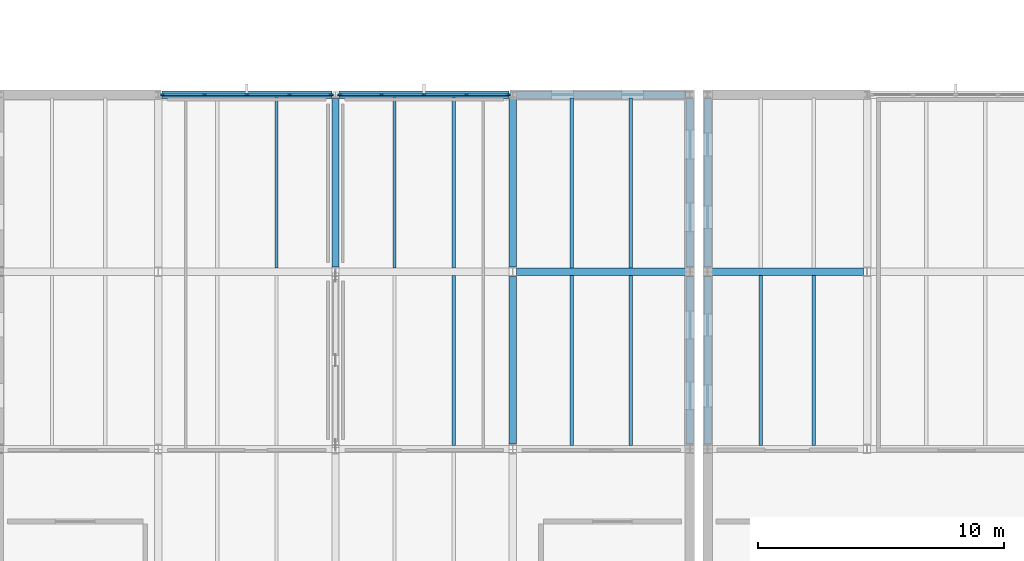
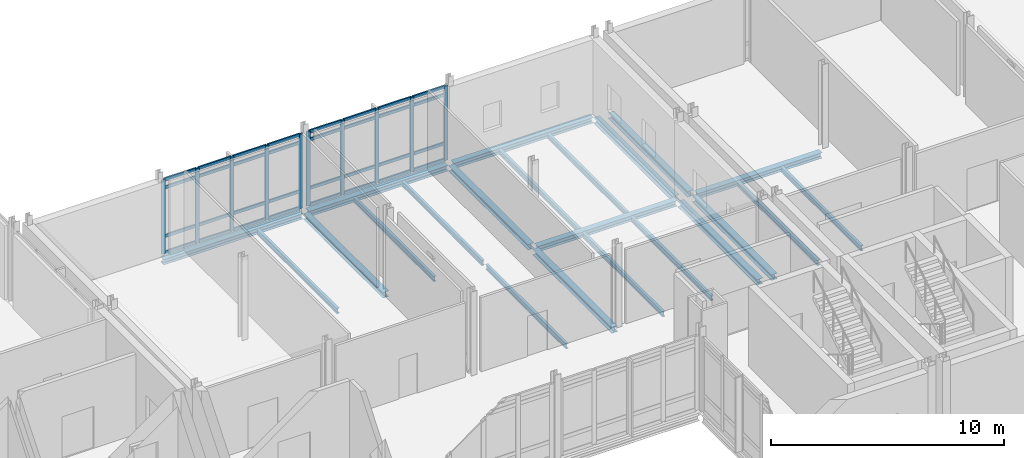
# One storey, part 17 of 72: 42 members, 22 beams, 2 elements without a shape of their own.
"""IFC4 building model written with IfcOpenShell, lengths in metres."""

from ifc_helpers import new_model, si_unit, direction, frame, origin, origin_2d, place, context, subcontext, project, spatial, rectangle, i_section, extrude, material, layer, layer_set, material_profile, profile_set, type_object, element, aggregate, save


model = new_model("IFC4")

# Units and contexts
model_context = context("Model", 3, precision=1e-05, world=origin(), true_north=direction((0.0, 1.0)))
body_context = subcontext(model_context, "Body", "Model", "MODEL_VIEW")
ifc_project = project(units=[si_unit("LENGTHUNIT", "METRE"), si_unit("AREAUNIT", "SQUARE_METRE"), si_unit("VOLUMEUNIT", "CUBIC_METRE"), si_unit("PLANEANGLEUNIT", "RADIAN"), si_unit("MASSUNIT", "GRAM", prefix="KILO")], contexts=[model_context])

# Site, building, storey
site_placement = place(None, origin())
site = spatial("IfcSite", under=ifc_project, at=site_placement, CompositionType="ELEMENT")
building_placement = place(site_placement, origin())
building = spatial("IfcBuilding", under=site, at=building_placement, Name="Zarrinpeak Specialist Clinic", CompositionType="ELEMENT")
storey_placement = place(building_placement, frame((0.0, 0.0, 9.60009765625)))
storey = spatial("IfcBuildingStorey", under=building, at=storey_placement, Name="L02", CompositionType="ELEMENT", Elevation=9.60009765625)

# Beams
ifc_material_1 = material(Name="Steel S355", Category="steel")
ifc_material_profile_1 = material_profile(ifc_material_1, i_section(OverallWidth=0.300048828125, OverallDepth=0.2900390625, WebThickness=0.008544921875, FlangeThickness=0.013916015625, FilletRadius=0.027099609375, at=origin_2d()), Name="HEA 300")
ifc_profile_set_1 = profile_set([ifc_material_profile_1], Name="Steel S355")
beam_type_1 = type_object("IfcBeamType", Name="BM-HEA300", PredefinedType="BEAM", material=ifc_profile_set_1)
beam_1_placement = place(storey_placement, frame((50.548095703125, 21.60009765625, -0.360107421875), z_axis=(1.0, 0.0, 0.0), x_axis=(0.0, 1.0, 0.0)))
element("IfcBeam", 1, at=beam_1_placement, inside=storey, type_object=beam_type_1, Name="L02 Primary Floor Girder BM-L02-X1142", PredefinedType="BEAM", context=body_context, shape_type="SweptSolid", body=[
    extrude(i_section(OverallWidth=0.300048828125, OverallDepth=0.2900390625, WebThickness=0.008544921875, FlangeThickness=0.013916015625, FilletRadius=0.027099609375, at=origin_2d()), origin(), (0.0, 0.0, 1.0), 6.90380859375),
])
beam_2_placement = place(storey_placement, frame((58.468017578125, 21.60009765625, -0.360107421875), z_axis=(1.0, 0.0, 0.0), x_axis=(0.0, 1.0, 0.0)))
element("IfcBeam", 2, at=beam_2_placement, inside=storey, type_object=beam_type_1, Name="L02 Primary Floor Girder BM-L02-X1143", PredefinedType="BEAM", context=body_context, shape_type="SweptSolid", body=[
    extrude(i_section(OverallWidth=0.300048828125, OverallDepth=0.2900390625, WebThickness=0.008544921875, FlangeThickness=0.013916015625, FilletRadius=0.027099609375, at=origin_2d()), origin(), (0.0, 0.0, 1.0), 6.18408203125),
])
for number, where, z_axis, x_axis, name in (
    (3, (36.14794921875, 28.800048828125, -0.360107421875), (1.0, 0.0, 0.0), (0.0, 1.0, 0.0), "L02 Primary Floor Girder BM-L02-X1152"),
    (4, (43.347900390625, 28.800048828125, -0.360107421875), (1.0, 0.0, 0.0), (0.0, 1.0, 0.0), "L02 Primary Floor Girder BM-L02-X1153"),
):
    element("IfcBeam", number, at=place(storey_placement, frame(where, z_axis=z_axis, x_axis=x_axis)), inside=storey, type_object=beam_type_1, Name=name, PredefinedType="BEAM", context=body_context, shape_type="SweptSolid", body=[
        extrude(i_section(OverallWidth=0.300048828125, OverallDepth=0.2900390625, WebThickness=0.008544921875, FlangeThickness=0.013916015625, FilletRadius=0.027099609375, at=origin_2d()), origin(), (0.0, 0.0, 1.0), 6.904052734375),
    ])
beam_3_placement = place(storey_placement, frame((50.548095703125, 28.800048828125, -0.360107421875), z_axis=(1.0, 0.0, 0.0), x_axis=(0.0, 1.0, 0.0)))
element("IfcBeam", 5, at=beam_3_placement, inside=storey, type_object=beam_type_1, Name="L02 Primary Floor Girder BM-L02-X1154", PredefinedType="BEAM", context=body_context, shape_type="SweptSolid", body=[
    extrude(i_section(OverallWidth=0.300048828125, OverallDepth=0.2900390625, WebThickness=0.008544921875, FlangeThickness=0.013916015625, FilletRadius=0.027099609375, at=origin_2d()), origin(), (0.0, 0.0, 1.0), 6.90380859375),
])
beam_4_placement = place(storey_placement, frame((43.199951171875, 21.798095703125, -0.360107421875), z_axis=(0.0, 1.0, 0.0), x_axis=(-1.0, 0.0, 0.0)))
element("IfcBeam", 6, at=beam_4_placement, inside=storey, type_object=beam_type_1, Name="L02 Primary Beam BM-L02-Y1284", PredefinedType="BEAM", context=body_context, shape_type="SweptSolid", body=[
    extrude(i_section(OverallWidth=0.300048828125, OverallDepth=0.2900390625, WebThickness=0.008544921875, FlangeThickness=0.013916015625, FilletRadius=0.027099609375, at=origin_2d()), origin(), (0.0, 0.0, 1.0), 6.843994140625),
])
beam_5_placement = place(storey_placement, frame((50.39990234375, 14.597900390625, -0.360107421875), z_axis=(0.0, 1.0, 0.0), x_axis=(-1.0, 0.0, 0.0)))
element("IfcBeam", 7, at=beam_5_placement, inside=storey, type_object=beam_type_1, Name="L02 Primary Beam BM-L02-Y1292", PredefinedType="BEAM", context=body_context, shape_type="SweptSolid", body=[
    extrude(i_section(OverallWidth=0.300048828125, OverallDepth=0.2900390625, WebThickness=0.008544921875, FlangeThickness=0.013916015625, FilletRadius=0.027099609375, at=origin_2d()), origin(), (0.0, 0.0, 1.0), 6.80419921875),
])
beam_6_placement = place(storey_placement, frame((50.39990234375, 21.798095703125, -0.360107421875), z_axis=(0.0, 1.0, 0.0), x_axis=(-1.0, 0.0, 0.0)))
element("IfcBeam", 8, at=beam_6_placement, inside=storey, type_object=beam_type_1, Name="L02 Primary Beam BM-L02-Y1293", PredefinedType="BEAM", context=body_context, shape_type="SweptSolid", body=[
    extrude(i_section(OverallWidth=0.300048828125, OverallDepth=0.2900390625, WebThickness=0.008544921875, FlangeThickness=0.013916015625, FilletRadius=0.027099609375, at=origin_2d()), origin(), (0.0, 0.0, 1.0), 6.843994140625),
])
beam_7_placement = place(storey_placement, frame((57.60009765625, 14.597900390625, -0.360107421875), z_axis=(0.0, 1.0, 0.0), x_axis=(-1.0, 0.0, 0.0)))
element("IfcBeam", 9, at=beam_7_placement, inside=storey, type_object=beam_type_1, Name="L02 Primary Beam BM-L02-Y1299", PredefinedType="BEAM", context=body_context, shape_type="SweptSolid", body=[
    extrude(i_section(OverallWidth=0.300048828125, OverallDepth=0.2900390625, WebThickness=0.008544921875, FlangeThickness=0.013916015625, FilletRadius=0.027099609375, at=origin_2d()), origin(), (0.0, 0.0, 1.0), 6.80419921875),
])
beam_8_placement = place(storey_placement, frame((57.60009765625, 21.798095703125, -0.360107421875), z_axis=(0.0, 1.0, 0.0), x_axis=(-1.0, 0.0, 0.0)))
element("IfcBeam", 10, at=beam_8_placement, inside=storey, type_object=beam_type_1, Name="L02 Primary Beam BM-L02-Y1300", PredefinedType="BEAM", context=body_context, shape_type="SweptSolid", body=[
    extrude(i_section(OverallWidth=0.300048828125, OverallDepth=0.2900390625, WebThickness=0.008544921875, FlangeThickness=0.013916015625, FilletRadius=0.027099609375, at=origin_2d()), origin(), (0.0, 0.0, 1.0), 6.843994140625),
])
beam_9_placement = place(storey_placement, frame((58.320068359375, 14.597900390625, -0.360107421875), z_axis=(0.0, 1.0, 0.0), x_axis=(-1.0, 0.0, 0.0)))
element("IfcBeam", 11, at=beam_9_placement, inside=storey, type_object=beam_type_1, Name="L02 Primary Beam BM-L02-Y1306", PredefinedType="BEAM", context=body_context, shape_type="SweptSolid", body=[
    extrude(i_section(OverallWidth=0.300048828125, OverallDepth=0.2900390625, WebThickness=0.008544921875, FlangeThickness=0.013916015625, FilletRadius=0.027099609375, at=origin_2d()), origin(), (0.0, 0.0, 1.0), 6.80419921875),
])
beam_10_placement = place(storey_placement, frame((58.320068359375, 21.798095703125, -0.360107421875), z_axis=(0.0, 1.0, 0.0), x_axis=(-1.0, 0.0, 0.0)))
element("IfcBeam", 12, at=beam_10_placement, inside=storey, type_object=beam_type_1, Name="L02 Primary Beam BM-L02-Y1307", PredefinedType="BEAM", context=body_context, shape_type="SweptSolid", body=[
    extrude(i_section(OverallWidth=0.300048828125, OverallDepth=0.2900390625, WebThickness=0.008544921875, FlangeThickness=0.013916015625, FilletRadius=0.027099609375, at=origin_2d()), origin(), (0.0, 0.0, 1.0), 6.843994140625),
])
ifc_material_profile_2 = material_profile(ifc_material_1, i_section(OverallWidth=0.135009765625, OverallDepth=0.27001953125, WebThickness=0.006591796875, FlangeThickness=0.01025390625, FilletRadius=0.014892578125, at=origin_2d()), Name="IPE 270")
ifc_profile_set_2 = profile_set([ifc_material_profile_2], Name="Steel S355")
beam_type_2 = type_object("IfcBeamType", Name="BM-JST270", PredefinedType="JOIST", material=ifc_profile_set_2)
beam_11_placement = place(storey_placement, frame((40.800048828125, 21.748046875, -0.35009765625), z_axis=(0.0, 1.0, 0.0), x_axis=(-1.0, 0.0, 0.0)))
element("IfcBeam", 13, at=beam_11_placement, inside=storey, type_object=beam_type_2, Name="L02 Composite Floor Joist JST-L02-1384", PredefinedType="JOIST", context=body_context, shape_type="SweptSolid", body=[
    extrude(i_section(OverallWidth=0.135009765625, OverallDepth=0.27001953125, WebThickness=0.006591796875, FlangeThickness=0.01025390625, FilletRadius=0.014892578125, at=origin_2d()), origin(), (0.0, 0.0, 1.0), 6.904052734375),
])
beam_12_placement = place(storey_placement, frame((48.0, 14.548095703125, -0.35009765625), z_axis=(0.0, 1.0, 0.0), x_axis=(-1.0, 0.0, 0.0)))
element("IfcBeam", 14, at=beam_12_placement, inside=storey, type_object=beam_type_2, Name="L02 Composite Floor Joist JST-L02-1388", PredefinedType="JOIST", context=body_context, shape_type="SweptSolid", body=[
    extrude(i_section(OverallWidth=0.135009765625, OverallDepth=0.27001953125, WebThickness=0.006591796875, FlangeThickness=0.01025390625, FilletRadius=0.014892578125, at=origin_2d()), origin(), (0.0, 0.0, 1.0), 6.90380859375),
])
for number, where, z_axis, x_axis, name in (
    (15, (45.60009765625, 21.748046875, -0.35009765625), (0.0, 1.0, 0.0), (-1.0, 0.0, 0.0), "L02 Composite Floor Joist JST-L02-1389"),
    (16, (48.0, 21.748046875, -0.35009765625), (0.0, 1.0, 0.0), (-1.0, 0.0, 0.0), "L02 Composite Floor Joist JST-L02-1390"),
):
    element("IfcBeam", number, at=place(storey_placement, frame(where, z_axis=z_axis, x_axis=x_axis)), inside=storey, type_object=beam_type_2, Name=name, PredefinedType="JOIST", context=body_context, shape_type="SweptSolid", body=[
        extrude(i_section(OverallWidth=0.135009765625, OverallDepth=0.27001953125, WebThickness=0.006591796875, FlangeThickness=0.01025390625, FilletRadius=0.014892578125, at=origin_2d()), origin(), (0.0, 0.0, 1.0), 6.904052734375),
    ])
for number, where, z_axis, x_axis, name in (
    (17, (52.800048828125, 14.548095703125, -0.35009765625), (0.0, 1.0, 0.0), (-1.0, 0.0, 0.0), "L02 Composite Floor Joist JST-L02-1391"),
    (18, (55.199951171875, 14.548095703125, -0.35009765625), (0.0, 1.0, 0.0), (-1.0, 0.0, 0.0), "L02 Composite Floor Joist JST-L02-1392"),
):
    element("IfcBeam", number, at=place(storey_placement, frame(where, z_axis=z_axis, x_axis=x_axis)), inside=storey, type_object=beam_type_2, Name=name, PredefinedType="JOIST", context=body_context, shape_type="SweptSolid", body=[
        extrude(i_section(OverallWidth=0.135009765625, OverallDepth=0.27001953125, WebThickness=0.006591796875, FlangeThickness=0.01025390625, FilletRadius=0.014892578125, at=origin_2d()), origin(), (0.0, 0.0, 1.0), 6.90380859375),
    ])
for number, where, z_axis, x_axis, name in (
    (19, (52.800048828125, 21.748046875, -0.35009765625), (0.0, 1.0, 0.0), (-1.0, 0.0, 0.0), "L02 Composite Floor Joist JST-L02-1393"),
    (20, (55.199951171875, 21.748046875, -0.35009765625), (0.0, 1.0, 0.0), (-1.0, 0.0, 0.0), "L02 Composite Floor Joist JST-L02-1394"),
):
    element("IfcBeam", number, at=place(storey_placement, frame(where, z_axis=z_axis, x_axis=x_axis)), inside=storey, type_object=beam_type_2, Name=name, PredefinedType="JOIST", context=body_context, shape_type="SweptSolid", body=[
        extrude(i_section(OverallWidth=0.135009765625, OverallDepth=0.27001953125, WebThickness=0.006591796875, FlangeThickness=0.01025390625, FilletRadius=0.014892578125, at=origin_2d()), origin(), (0.0, 0.0, 1.0), 6.904052734375),
    ])
for number, where, z_axis, x_axis, name in (
    (21, (60.47998046875, 14.548095703125, -0.35009765625), (0.0, 1.0, 0.0), (-1.0, 0.0, 0.0), "L02 Composite Floor Joist JST-L02-1395"),
    (22, (62.639892578125, 14.548095703125, -0.35009765625), (0.0, 1.0, 0.0), (-1.0, 0.0, 0.0), "L02 Composite Floor Joist JST-L02-1396"),
):
    element("IfcBeam", number, at=place(storey_placement, frame(where, z_axis=z_axis, x_axis=x_axis)), inside=storey, type_object=beam_type_2, Name=name, PredefinedType="JOIST", context=body_context, shape_type="SweptSolid", body=[
        extrude(i_section(OverallWidth=0.135009765625, OverallDepth=0.27001953125, WebThickness=0.006591796875, FlangeThickness=0.01025390625, FilletRadius=0.014892578125, at=origin_2d()), origin(), (0.0, 0.0, 1.0), 6.90380859375),
    ])

# Curtain wall, members
ifc_material_2 = material(Name="Anodised Aluminium Alloy 6063-T6", Category="aluminium")
ifc_layer = layer(ifc_material_2, 0.179931640625)
ifc_layer_set = layer_set([ifc_layer], Name="Anodised Aluminium Alloy 6063-T6")
curtain_wall_type = type_object("IfcCurtainWallType", Name="CW-COURT", PredefinedType="NOTDEFINED", material=ifc_layer_set)
curtain_wall_1_placement = place(storey_placement, origin())
curtain_wall_1 = element("IfcCurtainWall", 23, at=curtain_wall_1_placement, inside=storey, type_object=curtain_wall_type, Name="L02 V2 Unitised Curtain Wall CW-L02-V2-055", PredefinedType="NOTDEFINED")
ifc_material_profile_3 = material_profile(ifc_material_2, rectangle(XDim=0.074951171875, YDim=0.179931640625, at=origin_2d()), Name="ALU 75x180")
ifc_profile_set_3 = profile_set([ifc_material_profile_3], Name="Anodised Aluminium Alloy 6063-T6")
member_type_1 = type_object("IfcMemberType", Name="CWM-75", PredefinedType="MULLION", material=ifc_profile_set_3)
member_1_placement = place(storey_placement, frame((43.017578125, 28.800048828125, 0.0), z_axis=(0.0, 0.0, 1.0), x_axis=(0.0, -1.0, 0.0)))
member_1 = element("IfcMember", 24, at=member_1_placement, type_object=member_type_1, Name="CW-01 mullion 1", PredefinedType="MULLION", context=body_context, shape_type="SweptSolid", body=[
    extrude(rectangle(XDim=0.074951171875, YDim=0.179931640625, at=origin_2d()), origin(), (0.0, 0.0, 1.0), 3.89990234375),
])
member_2_placement = place(storey_placement, frame((41.327392578125, 28.800048828125, 0.0), z_axis=(0.0, 0.0, 1.0), x_axis=(0.0, -1.0, 0.0)))
member_2 = element("IfcMember", 25, at=member_2_placement, type_object=member_type_1, Name="CW-01 mullion 2", PredefinedType="MULLION", context=body_context, shape_type="SweptSolid", body=[
    extrude(rectangle(XDim=0.074951171875, YDim=0.179931640625, at=origin_2d()), origin(), (0.0, 0.0, 1.0), 3.89990234375),
])
member_3_placement = place(storey_placement, frame((39.60009765625, 28.800048828125, 0.0), z_axis=(0.0, 0.0, 1.0), x_axis=(0.0, -1.0, 0.0)))
member_3 = element("IfcMember", 26, at=member_3_placement, type_object=member_type_1, Name="CW-01 mullion 3", PredefinedType="MULLION", context=body_context, shape_type="SweptSolid", body=[
    extrude(rectangle(XDim=0.074951171875, YDim=0.179931640625, at=origin_2d()), origin(), (0.0, 0.0, 1.0), 3.89990234375),
])
member_4_placement = place(storey_placement, frame((37.87255859375, 28.800048828125, 0.0), z_axis=(0.0, 0.0, 1.0), x_axis=(0.0, -1.0, 0.0)))
member_4 = element("IfcMember", 27, at=member_4_placement, type_object=member_type_1, Name="CW-01 mullion 4", PredefinedType="MULLION", context=body_context, shape_type="SweptSolid", body=[
    extrude(rectangle(XDim=0.074951171875, YDim=0.179931640625, at=origin_2d()), origin(), (0.0, 0.0, 1.0), 3.89990234375),
])
member_5_placement = place(storey_placement, frame((36.1826171875, 28.800048828125, 0.0), z_axis=(0.0, 0.0, 1.0), x_axis=(0.0, -1.0, 0.0)))
member_5 = element("IfcMember", 28, at=member_5_placement, type_object=member_type_1, Name="CW-01 mullion 5", PredefinedType="MULLION", context=body_context, shape_type="SweptSolid", body=[
    extrude(rectangle(XDim=0.074951171875, YDim=0.179931640625, at=origin_2d()), origin(), (0.0, 0.0, 1.0), 3.89990234375),
])

curtain_wall_2_placement = place(storey_placement, origin())
curtain_wall_2 = element("IfcCurtainWall", 29, at=curtain_wall_2_placement, inside=storey, type_object=curtain_wall_type, Name="L02 V2 Unitised Curtain Wall CW-L02-V2-056", PredefinedType="NOTDEFINED")
member_6_placement = place(storey_placement, frame((50.217529296875, 28.800048828125, 0.0), z_axis=(0.0, 0.0, 1.0), x_axis=(0.0, -1.0, 0.0)))
member_6 = element("IfcMember", 30, at=member_6_placement, type_object=member_type_1, Name="CW-01 mullion 1", PredefinedType="MULLION", context=body_context, shape_type="SweptSolid", body=[
    extrude(rectangle(XDim=0.074951171875, YDim=0.179931640625, at=origin_2d()), origin(), (0.0, 0.0, 1.0), 3.89990234375),
])
member_7_placement = place(storey_placement, frame((48.527587890625, 28.800048828125, 0.0), z_axis=(0.0, 0.0, 1.0), x_axis=(0.0, -1.0, 0.0)))
member_7 = element("IfcMember", 31, at=member_7_placement, type_object=member_type_1, Name="CW-01 mullion 2", PredefinedType="MULLION", context=body_context, shape_type="SweptSolid", body=[
    extrude(rectangle(XDim=0.074951171875, YDim=0.179931640625, at=origin_2d()), origin(), (0.0, 0.0, 1.0), 3.89990234375),
])
member_8_placement = place(storey_placement, frame((46.800048828125, 28.800048828125, 0.0), z_axis=(0.0, 0.0, 1.0), x_axis=(0.0, -1.0, 0.0)))
member_8 = element("IfcMember", 32, at=member_8_placement, type_object=member_type_1, Name="CW-01 mullion 3", PredefinedType="MULLION", context=body_context, shape_type="SweptSolid", body=[
    extrude(rectangle(XDim=0.074951171875, YDim=0.179931640625, at=origin_2d()), origin(), (0.0, 0.0, 1.0), 3.89990234375),
])
member_9_placement = place(storey_placement, frame((45.072509765625, 28.800048828125, 0.0), z_axis=(0.0, 0.0, 1.0), x_axis=(0.0, -1.0, 0.0)))
member_9 = element("IfcMember", 33, at=member_9_placement, type_object=member_type_1, Name="CW-01 mullion 4", PredefinedType="MULLION", context=body_context, shape_type="SweptSolid", body=[
    extrude(rectangle(XDim=0.074951171875, YDim=0.179931640625, at=origin_2d()), origin(), (0.0, 0.0, 1.0), 3.89990234375),
])
member_10_placement = place(storey_placement, frame((43.382568359375, 28.800048828125, 0.0), z_axis=(0.0, 0.0, 1.0), x_axis=(0.0, -1.0, 0.0)))
member_10 = element("IfcMember", 34, at=member_10_placement, type_object=member_type_1, Name="CW-01 mullion 5", PredefinedType="MULLION", context=body_context, shape_type="SweptSolid", body=[
    extrude(rectangle(XDim=0.074951171875, YDim=0.179931640625, at=origin_2d()), origin(), (0.0, 0.0, 1.0), 3.89990234375),
])

# Member
ifc_material_profile_4 = material_profile(ifc_material_2, rectangle(XDim=0.074951171875, YDim=0.159912109375, at=origin_2d()), Name="ALU 75x160")
ifc_profile_set_4 = profile_set([ifc_material_profile_4], Name="Anodised Aluminium Alloy 6063-T6")
member_type_2 = type_object("IfcMemberType", Name="CWT-75", PredefinedType="USERDEFINED", material=ifc_profile_set_4)
member_11_placement = place(storey_placement, frame((42.97998046875, 28.800048828125, 0.037353515625), z_axis=(-1.0, 0.0, 0.0), x_axis=(0.0, -1.0, 0.0)))
member_11 = element("IfcMember", 35, at=member_11_placement, type_object=member_type_2, Name="CW-01 transom 1.1", ObjectType="TRANSOM", PredefinedType="USERDEFINED", context=body_context, shape_type="SweptSolid", body=[
    extrude(rectangle(XDim=0.074951171875, YDim=0.159912109375, at=origin_2d()), origin(), (0.0, 0.0, 1.0), 1.614990234375),
])

member_12_placement = place(storey_placement, frame((42.97998046875, 28.800048828125, 0.89990234375), z_axis=(-1.0, 0.0, 0.0), x_axis=(0.0, -1.0, 0.0)))
member_12 = element("IfcMember", 36, at=member_12_placement, type_object=member_type_2, Name="CW-01 transom 1.2", ObjectType="TRANSOM", PredefinedType="USERDEFINED", context=body_context, shape_type="SweptSolid", body=[
    extrude(rectangle(XDim=0.074951171875, YDim=0.159912109375, at=origin_2d()), origin(), (0.0, 0.0, 1.0), 1.614990234375),
])

member_13_placement = place(storey_placement, frame((42.97998046875, 28.800048828125, 3.449951171875), z_axis=(-1.0, 0.0, 0.0), x_axis=(0.0, -1.0, 0.0)))
member_13 = element("IfcMember", 37, at=member_13_placement, type_object=member_type_2, Name="CW-01 transom 1.3", ObjectType="TRANSOM", PredefinedType="USERDEFINED", context=body_context, shape_type="SweptSolid", body=[
    extrude(rectangle(XDim=0.074951171875, YDim=0.159912109375, at=origin_2d()), origin(), (0.0, 0.0, 1.0), 1.614990234375),
])

member_14_placement = place(storey_placement, frame((42.97998046875, 28.800048828125, 3.8623046875), z_axis=(-1.0, 0.0, 0.0), x_axis=(0.0, -1.0, 0.0)))
member_14 = element("IfcMember", 38, at=member_14_placement, type_object=member_type_2, Name="CW-01 transom 1.4", ObjectType="TRANSOM", PredefinedType="USERDEFINED", context=body_context, shape_type="SweptSolid", body=[
    extrude(rectangle(XDim=0.074951171875, YDim=0.159912109375, at=origin_2d()), origin(), (0.0, 0.0, 1.0), 1.614990234375),
])

member_15_placement = place(storey_placement, frame((41.2900390625, 28.800048828125, 0.037353515625), z_axis=(-1.0, 0.0, 0.0), x_axis=(0.0, -1.0, 0.0)))
member_15 = element("IfcMember", 39, at=member_15_placement, type_object=member_type_2, Name="CW-01 transom 2.1", ObjectType="TRANSOM", PredefinedType="USERDEFINED", context=body_context, shape_type="SweptSolid", body=[
    extrude(rectangle(XDim=0.074951171875, YDim=0.159912109375, at=origin_2d()), origin(), (0.0, 0.0, 1.0), 1.652587890625),
])

member_16_placement = place(storey_placement, frame((41.2900390625, 28.800048828125, 0.89990234375), z_axis=(-1.0, 0.0, 0.0), x_axis=(0.0, -1.0, 0.0)))
member_16 = element("IfcMember", 40, at=member_16_placement, type_object=member_type_2, Name="CW-01 transom 2.2", ObjectType="TRANSOM", PredefinedType="USERDEFINED", context=body_context, shape_type="SweptSolid", body=[
    extrude(rectangle(XDim=0.074951171875, YDim=0.159912109375, at=origin_2d()), origin(), (0.0, 0.0, 1.0), 1.652587890625),
])

member_17_placement = place(storey_placement, frame((41.2900390625, 28.800048828125, 3.449951171875), z_axis=(-1.0, 0.0, 0.0), x_axis=(0.0, -1.0, 0.0)))
member_17 = element("IfcMember", 41, at=member_17_placement, type_object=member_type_2, Name="CW-01 transom 2.3", ObjectType="TRANSOM", PredefinedType="USERDEFINED", context=body_context, shape_type="SweptSolid", body=[
    extrude(rectangle(XDim=0.074951171875, YDim=0.159912109375, at=origin_2d()), origin(), (0.0, 0.0, 1.0), 1.652587890625),
])

member_18_placement = place(storey_placement, frame((41.2900390625, 28.800048828125, 3.8623046875), z_axis=(-1.0, 0.0, 0.0), x_axis=(0.0, -1.0, 0.0)))
member_18 = element("IfcMember", 42, at=member_18_placement, type_object=member_type_2, Name="CW-01 transom 2.4", ObjectType="TRANSOM", PredefinedType="USERDEFINED", context=body_context, shape_type="SweptSolid", body=[
    extrude(rectangle(XDim=0.074951171875, YDim=0.159912109375, at=origin_2d()), origin(), (0.0, 0.0, 1.0), 1.652587890625),
])

member_19_placement = place(storey_placement, frame((39.5625, 28.800048828125, 0.037353515625), z_axis=(-1.0, 0.0, 0.0), x_axis=(0.0, -1.0, 0.0)))
member_19 = element("IfcMember", 43, at=member_19_placement, type_object=member_type_2, Name="CW-01 transom 3.1", ObjectType="TRANSOM", PredefinedType="USERDEFINED", context=body_context, shape_type="SweptSolid", body=[
    extrude(rectangle(XDim=0.074951171875, YDim=0.159912109375, at=origin_2d()), origin(), (0.0, 0.0, 1.0), 1.652587890625),
])

member_20_placement = place(storey_placement, frame((39.5625, 28.800048828125, 0.89990234375), z_axis=(-1.0, 0.0, 0.0), x_axis=(0.0, -1.0, 0.0)))
member_20 = element("IfcMember", 44, at=member_20_placement, type_object=member_type_2, Name="CW-01 transom 3.2", ObjectType="TRANSOM", PredefinedType="USERDEFINED", context=body_context, shape_type="SweptSolid", body=[
    extrude(rectangle(XDim=0.074951171875, YDim=0.159912109375, at=origin_2d()), origin(), (0.0, 0.0, 1.0), 1.652587890625),
])

member_21_placement = place(storey_placement, frame((39.5625, 28.800048828125, 3.449951171875), z_axis=(-1.0, 0.0, 0.0), x_axis=(0.0, -1.0, 0.0)))
member_21 = element("IfcMember", 45, at=member_21_placement, type_object=member_type_2, Name="CW-01 transom 3.3", ObjectType="TRANSOM", PredefinedType="USERDEFINED", context=body_context, shape_type="SweptSolid", body=[
    extrude(rectangle(XDim=0.074951171875, YDim=0.159912109375, at=origin_2d()), origin(), (0.0, 0.0, 1.0), 1.652587890625),
])

member_22_placement = place(storey_placement, frame((39.5625, 28.800048828125, 3.8623046875), z_axis=(-1.0, 0.0, 0.0), x_axis=(0.0, -1.0, 0.0)))
member_22 = element("IfcMember", 46, at=member_22_placement, type_object=member_type_2, Name="CW-01 transom 3.4", ObjectType="TRANSOM", PredefinedType="USERDEFINED", context=body_context, shape_type="SweptSolid", body=[
    extrude(rectangle(XDim=0.074951171875, YDim=0.159912109375, at=origin_2d()), origin(), (0.0, 0.0, 1.0), 1.652587890625),
])

member_23_placement = place(storey_placement, frame((37.8349609375, 28.800048828125, 0.037353515625), z_axis=(-1.0, 0.0, 0.0), x_axis=(0.0, -1.0, 0.0)))
member_23 = element("IfcMember", 47, at=member_23_placement, type_object=member_type_2, Name="CW-01 transom 4.1", ObjectType="TRANSOM", PredefinedType="USERDEFINED", context=body_context, shape_type="SweptSolid", body=[
    extrude(rectangle(XDim=0.074951171875, YDim=0.159912109375, at=origin_2d()), origin(), (0.0, 0.0, 1.0), 1.614990234375),
])

member_24_placement = place(storey_placement, frame((37.8349609375, 28.800048828125, 0.89990234375), z_axis=(-1.0, 0.0, 0.0), x_axis=(0.0, -1.0, 0.0)))
member_24 = element("IfcMember", 48, at=member_24_placement, type_object=member_type_2, Name="CW-01 transom 4.2", ObjectType="TRANSOM", PredefinedType="USERDEFINED", context=body_context, shape_type="SweptSolid", body=[
    extrude(rectangle(XDim=0.074951171875, YDim=0.159912109375, at=origin_2d()), origin(), (0.0, 0.0, 1.0), 1.614990234375),
])

member_25_placement = place(storey_placement, frame((37.8349609375, 28.800048828125, 3.449951171875), z_axis=(-1.0, 0.0, 0.0), x_axis=(0.0, -1.0, 0.0)))
member_25 = element("IfcMember", 49, at=member_25_placement, type_object=member_type_2, Name="CW-01 transom 4.3", ObjectType="TRANSOM", PredefinedType="USERDEFINED", context=body_context, shape_type="SweptSolid", body=[
    extrude(rectangle(XDim=0.074951171875, YDim=0.159912109375, at=origin_2d()), origin(), (0.0, 0.0, 1.0), 1.614990234375),
])

member_26_placement = place(storey_placement, frame((37.8349609375, 28.800048828125, 3.8623046875), z_axis=(-1.0, 0.0, 0.0), x_axis=(0.0, -1.0, 0.0)))
member_26 = element("IfcMember", 50, at=member_26_placement, type_object=member_type_2, Name="CW-01 transom 4.4", ObjectType="TRANSOM", PredefinedType="USERDEFINED", context=body_context, shape_type="SweptSolid", body=[
    extrude(rectangle(XDim=0.074951171875, YDim=0.159912109375, at=origin_2d()), origin(), (0.0, 0.0, 1.0), 1.614990234375),
])

aggregate(curtain_wall_1, [member_1, member_2, member_3, member_4, member_5, member_11, member_12, member_13, member_14, member_15, member_16, member_17, member_18, member_19, member_20, member_21, member_22, member_23, member_24, member_25, member_26])

member_27_placement = place(storey_placement, frame((50.179931640625, 28.800048828125, 0.037353515625), z_axis=(-1.0, 0.0, 0.0), x_axis=(0.0, -1.0, 0.0)))
member_27 = element("IfcMember", 51, at=member_27_placement, type_object=member_type_2, Name="CW-01 transom 1.1", ObjectType="TRANSOM", PredefinedType="USERDEFINED", context=body_context, shape_type="SweptSolid", body=[
    extrude(rectangle(XDim=0.074951171875, YDim=0.159912109375, at=origin_2d()), origin(), (0.0, 0.0, 1.0), 1.614990234375),
])

member_28_placement = place(storey_placement, frame((50.179931640625, 28.800048828125, 0.89990234375), z_axis=(-1.0, 0.0, 0.0), x_axis=(0.0, -1.0, 0.0)))
member_28 = element("IfcMember", 52, at=member_28_placement, type_object=member_type_2, Name="CW-01 transom 1.2", ObjectType="TRANSOM", PredefinedType="USERDEFINED", context=body_context, shape_type="SweptSolid", body=[
    extrude(rectangle(XDim=0.074951171875, YDim=0.159912109375, at=origin_2d()), origin(), (0.0, 0.0, 1.0), 1.614990234375),
])

member_29_placement = place(storey_placement, frame((50.179931640625, 28.800048828125, 3.449951171875), z_axis=(-1.0, 0.0, 0.0), x_axis=(0.0, -1.0, 0.0)))
member_29 = element("IfcMember", 53, at=member_29_placement, type_object=member_type_2, Name="CW-01 transom 1.3", ObjectType="TRANSOM", PredefinedType="USERDEFINED", context=body_context, shape_type="SweptSolid", body=[
    extrude(rectangle(XDim=0.074951171875, YDim=0.159912109375, at=origin_2d()), origin(), (0.0, 0.0, 1.0), 1.614990234375),
])

member_30_placement = place(storey_placement, frame((50.179931640625, 28.800048828125, 3.8623046875), z_axis=(-1.0, 0.0, 0.0), x_axis=(0.0, -1.0, 0.0)))
member_30 = element("IfcMember", 54, at=member_30_placement, type_object=member_type_2, Name="CW-01 transom 1.4", ObjectType="TRANSOM", PredefinedType="USERDEFINED", context=body_context, shape_type="SweptSolid", body=[
    extrude(rectangle(XDim=0.074951171875, YDim=0.159912109375, at=origin_2d()), origin(), (0.0, 0.0, 1.0), 1.614990234375),
])

member_31_placement = place(storey_placement, frame((48.489990234375, 28.800048828125, 0.037353515625), z_axis=(-1.0, 0.0, 0.0), x_axis=(0.0, -1.0, 0.0)))
member_31 = element("IfcMember", 55, at=member_31_placement, type_object=member_type_2, Name="CW-01 transom 2.1", ObjectType="TRANSOM", PredefinedType="USERDEFINED", context=body_context, shape_type="SweptSolid", body=[
    extrude(rectangle(XDim=0.074951171875, YDim=0.159912109375, at=origin_2d()), origin(), (0.0, 0.0, 1.0), 1.652587890625),
])

member_32_placement = place(storey_placement, frame((48.489990234375, 28.800048828125, 0.89990234375), z_axis=(-1.0, 0.0, 0.0), x_axis=(0.0, -1.0, 0.0)))
member_32 = element("IfcMember", 56, at=member_32_placement, type_object=member_type_2, Name="CW-01 transom 2.2", ObjectType="TRANSOM", PredefinedType="USERDEFINED", context=body_context, shape_type="SweptSolid", body=[
    extrude(rectangle(XDim=0.074951171875, YDim=0.159912109375, at=origin_2d()), origin(), (0.0, 0.0, 1.0), 1.652587890625),
])

member_33_placement = place(storey_placement, frame((48.489990234375, 28.800048828125, 3.449951171875), z_axis=(-1.0, 0.0, 0.0), x_axis=(0.0, -1.0, 0.0)))
member_33 = element("IfcMember", 57, at=member_33_placement, type_object=member_type_2, Name="CW-01 transom 2.3", ObjectType="TRANSOM", PredefinedType="USERDEFINED", context=body_context, shape_type="SweptSolid", body=[
    extrude(rectangle(XDim=0.074951171875, YDim=0.159912109375, at=origin_2d()), origin(), (0.0, 0.0, 1.0), 1.652587890625),
])

member_34_placement = place(storey_placement, frame((48.489990234375, 28.800048828125, 3.8623046875), z_axis=(-1.0, 0.0, 0.0), x_axis=(0.0, -1.0, 0.0)))
member_34 = element("IfcMember", 58, at=member_34_placement, type_object=member_type_2, Name="CW-01 transom 2.4", ObjectType="TRANSOM", PredefinedType="USERDEFINED", context=body_context, shape_type="SweptSolid", body=[
    extrude(rectangle(XDim=0.074951171875, YDim=0.159912109375, at=origin_2d()), origin(), (0.0, 0.0, 1.0), 1.652587890625),
])

member_35_placement = place(storey_placement, frame((46.762451171875, 28.800048828125, 0.037353515625), z_axis=(-1.0, 0.0, 0.0), x_axis=(0.0, -1.0, 0.0)))
member_35 = element("IfcMember", 59, at=member_35_placement, type_object=member_type_2, Name="CW-01 transom 3.1", ObjectType="TRANSOM", PredefinedType="USERDEFINED", context=body_context, shape_type="SweptSolid", body=[
    extrude(rectangle(XDim=0.074951171875, YDim=0.159912109375, at=origin_2d()), origin(), (0.0, 0.0, 1.0), 1.65234375),
])

member_36_placement = place(storey_placement, frame((46.762451171875, 28.800048828125, 0.89990234375), z_axis=(-1.0, 0.0, 0.0), x_axis=(0.0, -1.0, 0.0)))
member_36 = element("IfcMember", 60, at=member_36_placement, type_object=member_type_2, Name="CW-01 transom 3.2", ObjectType="TRANSOM", PredefinedType="USERDEFINED", context=body_context, shape_type="SweptSolid", body=[
    extrude(rectangle(XDim=0.074951171875, YDim=0.159912109375, at=origin_2d()), origin(), (0.0, 0.0, 1.0), 1.65234375),
])

member_37_placement = place(storey_placement, frame((46.762451171875, 28.800048828125, 3.449951171875), z_axis=(-1.0, 0.0, 0.0), x_axis=(0.0, -1.0, 0.0)))
member_37 = element("IfcMember", 61, at=member_37_placement, type_object=member_type_2, Name="CW-01 transom 3.3", ObjectType="TRANSOM", PredefinedType="USERDEFINED", context=body_context, shape_type="SweptSolid", body=[
    extrude(rectangle(XDim=0.074951171875, YDim=0.159912109375, at=origin_2d()), origin(), (0.0, 0.0, 1.0), 1.65234375),
])

member_38_placement = place(storey_placement, frame((46.762451171875, 28.800048828125, 3.8623046875), z_axis=(-1.0, 0.0, 0.0), x_axis=(0.0, -1.0, 0.0)))
member_38 = element("IfcMember", 62, at=member_38_placement, type_object=member_type_2, Name="CW-01 transom 3.4", ObjectType="TRANSOM", PredefinedType="USERDEFINED", context=body_context, shape_type="SweptSolid", body=[
    extrude(rectangle(XDim=0.074951171875, YDim=0.159912109375, at=origin_2d()), origin(), (0.0, 0.0, 1.0), 1.65234375),
])

member_39_placement = place(storey_placement, frame((45.034912109375, 28.800048828125, 0.037353515625), z_axis=(-1.0, 0.0, 0.0), x_axis=(0.0, -1.0, 0.0)))
member_39 = element("IfcMember", 63, at=member_39_placement, type_object=member_type_2, Name="CW-01 transom 4.1", ObjectType="TRANSOM", PredefinedType="USERDEFINED", context=body_context, shape_type="SweptSolid", body=[
    extrude(rectangle(XDim=0.074951171875, YDim=0.159912109375, at=origin_2d()), origin(), (0.0, 0.0, 1.0), 1.614990234375),
])

member_40_placement = place(storey_placement, frame((45.034912109375, 28.800048828125, 0.89990234375), z_axis=(-1.0, 0.0, 0.0), x_axis=(0.0, -1.0, 0.0)))
member_40 = element("IfcMember", 64, at=member_40_placement, type_object=member_type_2, Name="CW-01 transom 4.2", ObjectType="TRANSOM", PredefinedType="USERDEFINED", context=body_context, shape_type="SweptSolid", body=[
    extrude(rectangle(XDim=0.074951171875, YDim=0.159912109375, at=origin_2d()), origin(), (0.0, 0.0, 1.0), 1.614990234375),
])

member_41_placement = place(storey_placement, frame((45.034912109375, 28.800048828125, 3.449951171875), z_axis=(-1.0, 0.0, 0.0), x_axis=(0.0, -1.0, 0.0)))
member_41 = element("IfcMember", 65, at=member_41_placement, type_object=member_type_2, Name="CW-01 transom 4.3", ObjectType="TRANSOM", PredefinedType="USERDEFINED", context=body_context, shape_type="SweptSolid", body=[
    extrude(rectangle(XDim=0.074951171875, YDim=0.159912109375, at=origin_2d()), origin(), (0.0, 0.0, 1.0), 1.614990234375),
])

member_42_placement = place(storey_placement, frame((45.034912109375, 28.800048828125, 3.8623046875), z_axis=(-1.0, 0.0, 0.0), x_axis=(0.0, -1.0, 0.0)))
member_42 = element("IfcMember", 66, at=member_42_placement, type_object=member_type_2, Name="CW-01 transom 4.4", ObjectType="TRANSOM", PredefinedType="USERDEFINED", context=body_context, shape_type="SweptSolid", body=[
    extrude(rectangle(XDim=0.074951171875, YDim=0.159912109375, at=origin_2d()), origin(), (0.0, 0.0, 1.0), 1.614990234375),
])

aggregate(curtain_wall_2, [member_6, member_7, member_8, member_9, member_10, member_27, member_28, member_29, member_30, member_31, member_32, member_33, member_34, member_35, member_36, member_37, member_38, member_39, member_40, member_41, member_42])

save(model, "model.ifc")
